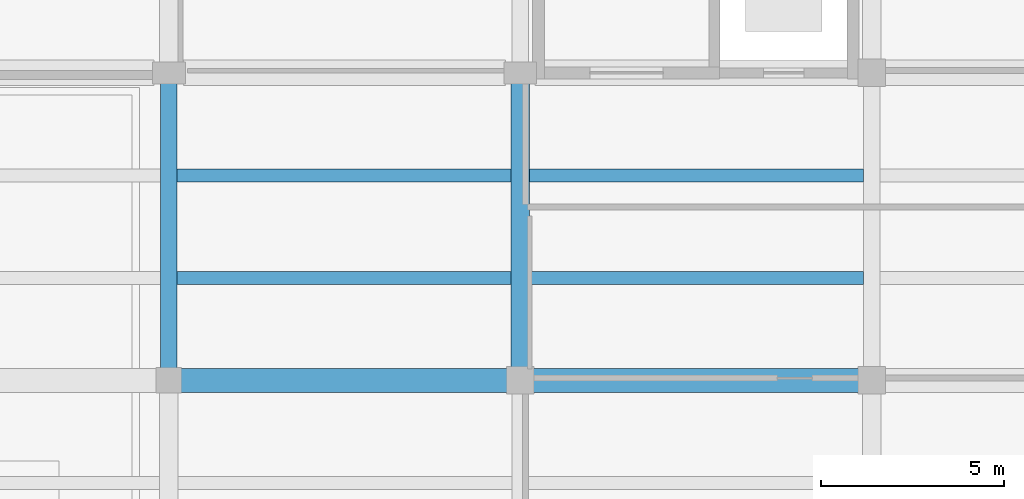
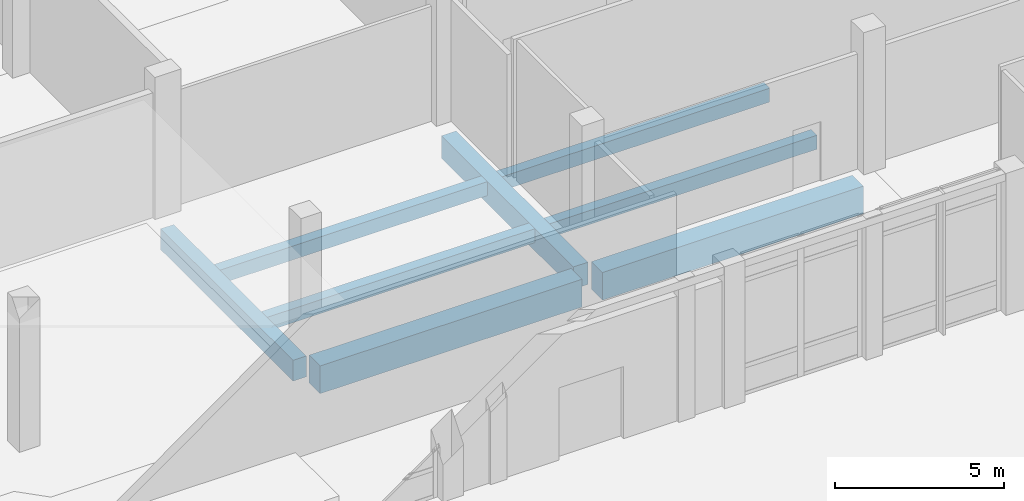
# One storey, part 27 of 71: 8 beams.
"""IFC4 building model written with IfcOpenShell, lengths in metres."""

from ifc_helpers import new_model, si_unit, direction, frame, origin, origin_2d, place, context, subcontext, project, spatial, rectangle, extrude, material, material_profile, profile_set, type_object, element, save


model = new_model("IFC4")

# Units and contexts
model_context = context("Model", 3, precision=1e-05, world=origin(), true_north=direction((0.0, 1.0)))
body_context = subcontext(model_context, "Body", "Model", "MODEL_VIEW")
ifc_project = project(units=[si_unit("LENGTHUNIT", "METRE"), si_unit("AREAUNIT", "SQUARE_METRE"), si_unit("VOLUMEUNIT", "CUBIC_METRE"), si_unit("PLANEANGLEUNIT", "RADIAN"), si_unit("MASSUNIT", "GRAM", prefix="KILO")], contexts=[model_context])

# Site, building, storey
site_placement = place(None, origin())
site = spatial("IfcSite", under=ifc_project, at=site_placement, CompositionType="ELEMENT")
building_placement = place(site_placement, origin())
building = spatial("IfcBuilding", under=site, at=building_placement, Name="Lornevale Opera House", CompositionType="ELEMENT")
storey_placement = place(building_placement, origin())
storey = spatial("IfcBuildingStorey", under=building, at=storey_placement, Name="L01", CompositionType="ELEMENT", Elevation=0.0)

# Beams
ifc_material_1 = material(Name="Concrete 35 MPa (CSA A23.1 N)", Category="concrete")
ifc_material_profile_1 = material_profile(ifc_material_1, rectangle(XDim=0.449951171875, YDim=0.75, at=origin_2d()), Name="RC450x750")
ifc_profile_set_1 = profile_set([ifc_material_profile_1], Name="Concrete 35 MPa (CSA A23.1 N)")
beam_type_1 = type_object("IfcBeamType", Name="Concrete Floor Beam 450x750", PredefinedType="USERDEFINED", material=ifc_profile_set_1)
beam_1_placement = place(storey_placement, frame((96.0, 25.52490234375, -0.81494140625), z_axis=(0.0, 1.0, 0.0), x_axis=(-1.0, 0.0, 0.0)))
element("IfcBeam", 1, at=beam_1_placement, inside=storey, type_object=beam_type_1, Name="Concrete Floor Beam 450x750 1202", ObjectType="GIRDER", PredefinedType="USERDEFINED", context=body_context, shape_type="SweptSolid", body=[
    extrude(rectangle(XDim=0.449951171875, YDim=0.75, at=origin_2d()), origin(), (0.0, 0.0, 1.0), 7.8251953125),
])
ifc_material_profile_2 = material_profile(ifc_material_1, rectangle(XDim=0.5, YDim=0.800048828125, at=origin_2d()), Name="RC500x800")
ifc_profile_set_2 = profile_set([ifc_material_profile_2], Name="Concrete 35 MPa (CSA A23.1 N)")
beam_type_2 = type_object("IfcBeamType", Name="Concrete Floor Beam 500x800", PredefinedType="USERDEFINED", material=ifc_profile_set_2)
beam_2_placement = place(storey_placement, frame((105.60009765625, 25.550048828125, -0.840087890625), z_axis=(0.0, 1.0, 0.0), x_axis=(-1.0, 0.0, 0.0)))
element("IfcBeam", 2, at=beam_2_placement, inside=storey, type_object=beam_type_2, Name="Concrete Floor Beam 500x800 1216", ObjectType="GIRDER", PredefinedType="USERDEFINED", context=body_context, shape_type="SweptSolid", body=[
    extrude(rectangle(XDim=0.5, YDim=0.800048828125, at=origin_2d()), origin(), (0.0, 0.0, 1.0), 7.800048828125),
])
ifc_material_2 = material(Name="Concrete 40 MPa (CSA A23.1 C-1)", Category="concrete")
ifc_material_profile_3 = material_profile(ifc_material_2, rectangle(XDim=0.64990234375, YDim=1.0, at=origin_2d()), Name="RC650x1000")
ifc_profile_set_3 = profile_set([ifc_material_profile_3], Name="Concrete 40 MPa (CSA A23.1 C-1)")
beam_type_3 = type_object("IfcBeamType", Name="Concrete Primary Girder 650x1000", PredefinedType="USERDEFINED", material=ifc_profile_set_3)
beam_3_placement = place(storey_placement, frame((96.324951171875, 25.199951171875, -0.93994140625), z_axis=(1.0, 0.0, 0.0), x_axis=(0.0, 1.0, 0.0)))
element("IfcBeam", 3, at=beam_3_placement, inside=storey, type_object=beam_type_3, Name="Concrete Primary Girder 650x1000 0899", ObjectType="GIRDER", PredefinedType="USERDEFINED", context=body_context, shape_type="SweptSolid", body=[
    extrude(rectangle(XDim=0.64990234375, YDim=1.0, at=origin_2d()), origin(), (0.0, 0.0, 1.0), 8.925048828125),
])
beam_4_placement = place(storey_placement, frame((105.949951171875, 25.199951171875, -0.93994140625), z_axis=(1.0, 0.0, 0.0), x_axis=(0.0, 1.0, 0.0)))
element("IfcBeam", 4, at=beam_4_placement, inside=storey, type_object=beam_type_3, Name="Concrete Primary Girder 650x1000 0900", ObjectType="GIRDER", PredefinedType="USERDEFINED", context=body_context, shape_type="SweptSolid", body=[
    extrude(rectangle(XDim=0.64990234375, YDim=1.0, at=origin_2d()), origin(), (0.0, 0.0, 1.0), 8.900146484375),
])
ifc_material_profile_4 = material_profile(ifc_material_1, rectangle(XDim=0.35009765625, YDim=0.5, at=origin_2d()), Name="RC350x500")
ifc_profile_set_4 = profile_set([ifc_material_profile_4], Name="Concrete 35 MPa (CSA A23.1 N)")
beam_type_4 = type_object("IfcBeamType", Name="Concrete Secondary Rib 350x500", PredefinedType="JOIST", material=ifc_profile_set_4)
for number, where, z_axis, x_axis, name in (
    (5, (96.22509765625, 28.0, -0.68994140625), (1.0, 0.0, 0.0), (0.0, 1.0, 0.0), "Concrete Secondary Rib 350x500 1545"),
    (6, (96.22509765625, 30.800048828125, -0.68994140625), (1.0, 0.0, 0.0), (0.0, 1.0, 0.0), "Concrete Secondary Rib 350x500 1546"),
    (7, (105.85009765625, 28.0, -0.68994140625), (1.0, 0.0, 0.0), (0.0, 1.0, 0.0), "Concrete Secondary Rib 350x500 1571"),
    (8, (105.85009765625, 30.800048828125, -0.68994140625), (1.0, 0.0, 0.0), (0.0, 1.0, 0.0), "Concrete Secondary Rib 350x500 1572"),
):
    element("IfcBeam", number, at=place(storey_placement, frame(where, z_axis=z_axis, x_axis=x_axis)), inside=storey, type_object=beam_type_4, Name=name, PredefinedType="JOIST", context=body_context, shape_type="SweptSolid", body=[
        extrude(rectangle(XDim=0.35009765625, YDim=0.5, at=origin_2d()), origin(), (0.0, 0.0, 1.0), 9.125),
    ])

save(model, "model.ifc")
